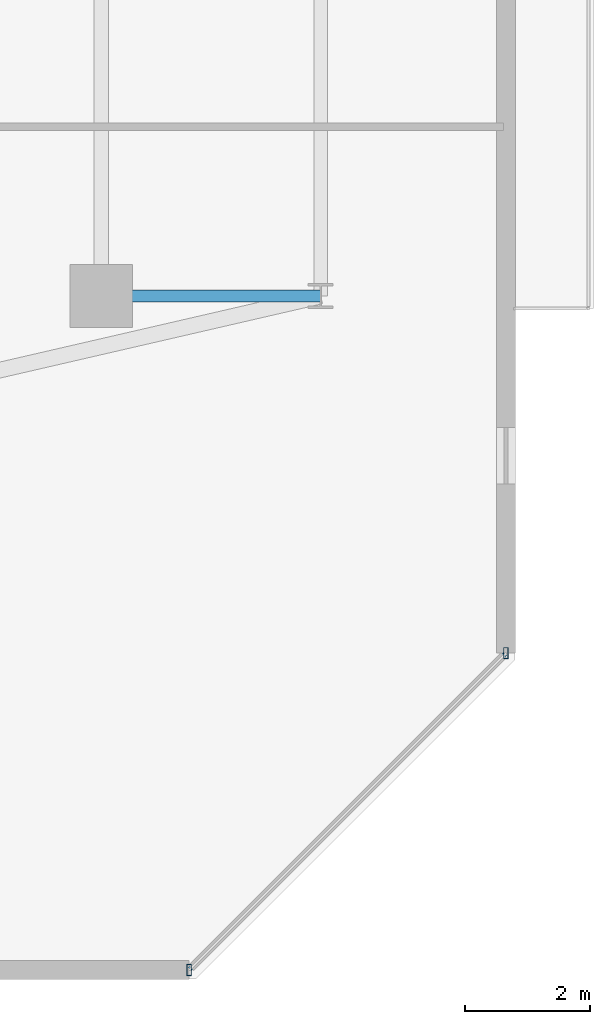
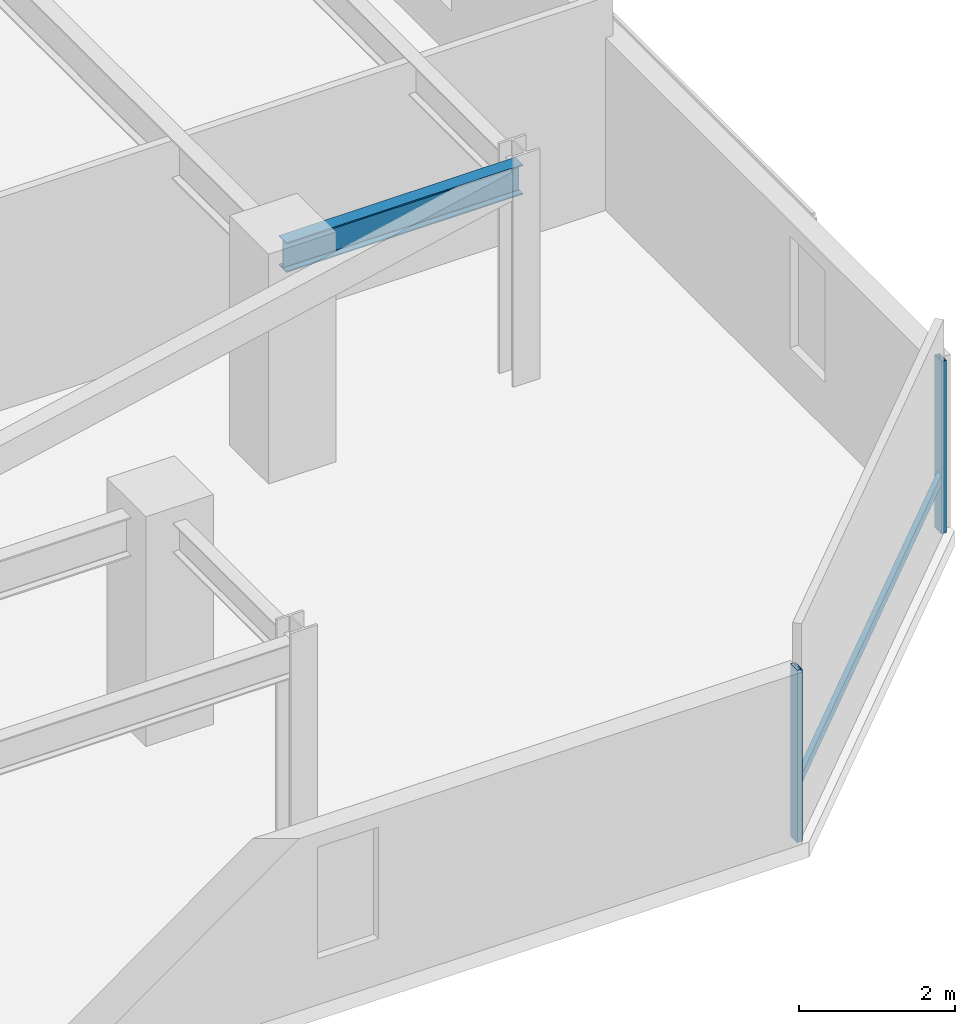
# One storey, part 12 of 32: 3 members, 1 beam, 1 element without a shape of its own.
"""IFC4 building model written with IfcOpenShell, lengths in metres."""

from ifc_helpers import new_model, si_unit, direction, frame, origin, origin_2d, place, context, subcontext, project, spatial, hollow_rectangle, i_section, extrude, material, material_profile, profile_set, type_object, element, aggregate, save


model = new_model("IFC4")

# Units and contexts
model_context = context("Model", 3, precision=1e-05, world=origin(), true_north=direction((0.0, 1.0)))
body_context = subcontext(model_context, "Body", "Model", "MODEL_VIEW")
ifc_project = project(units=[si_unit("LENGTHUNIT", "METRE"), si_unit("AREAUNIT", "SQUARE_METRE"), si_unit("VOLUMEUNIT", "CUBIC_METRE"), si_unit("PLANEANGLEUNIT", "RADIAN"), si_unit("MASSUNIT", "GRAM", prefix="KILO")], contexts=[model_context])

# Site, building, storey
site_placement = place(None, origin())
site = spatial("IfcSite", under=ifc_project, at=site_placement, CompositionType="ELEMENT")
building_placement = place(site_placement, origin())
building = spatial("IfcBuilding", under=site, at=building_placement, Name="Thornwick Lancets Civic Towers", CompositionType="ELEMENT")
storey_placement = place(building_placement, frame((0.0, 0.0, 243.89990234375)))
storey = spatial("IfcBuildingStorey", under=building, at=storey_placement, Name="L65", CompositionType="ELEMENT", Elevation=243.89990234375)

# Beam
ifc_material_1 = material(Name="Steel S355JR", Category="steel")
ifc_material_profile_1 = material_profile(ifc_material_1, i_section(OverallWidth=0.19287109375, OverallDepth=0.46728515625, WebThickness=0.011474609375, FlangeThickness=0.01953125, FilletRadius=0.01025390625, at=origin_2d()), Name="UKB 457x191x98")
ifc_profile_set_1 = profile_set([ifc_material_profile_1], Name="Steel S355JR")
beam_type = type_object("IfcBeamType", Name="BM_JOIST_457_98", PredefinedType="JOIST", material=ifc_profile_set_1)
beam_placement = place(storey_placement, frame((105.800048828125, 14.0, 3.12646484375), z_axis=(1.0, 0.0, 0.0), x_axis=(0.0, 1.0, 0.0)))
element("IfcBeam", 1, at=beam_placement, inside=storey, type_object=beam_type, Name="BM-RAD-L65-B01", PredefinedType="JOIST", context=body_context, shape_type="SweptSolid", body=[
    extrude(i_section(OverallWidth=0.19287109375, OverallDepth=0.46728515625, WebThickness=0.011474609375, FlangeThickness=0.01953125, FilletRadius=0.01025390625, at=origin_2d()), origin(), (0.0, 0.0, 1.0), 3.5),
])

# Curtain wall, members
ifc_material_2 = material(Name="High-zone chamfered-corner unitised glass curtain wall", Category="glass")
curtain_wall_type = type_object("IfcCurtainWallType", Name="CW_SYS_05", PredefinedType="NOTDEFINED", material=ifc_material_2)
curtain_wall_placement = place(storey_placement, origin())
curtain_wall = element("IfcCurtainWall", 2, at=curtain_wall_placement, inside=storey, type_object=curtain_wall_type, Name="L65 Curtain Wall CW-L65-B-E1", PredefinedType="NOTDEFINED")
ifc_material_3 = material(Name="Thermally broken bronze aluminium S355", Category="steel")
ifc_material_profile_2 = material_profile(ifc_material_3, hollow_rectangle(XDim=0.074951171875, YDim=0.179931640625, WallThickness=0.006103515625, at=origin_2d()), Name="RHS 180x75x6")
ifc_profile_set_2 = profile_set([ifc_material_profile_2], Name="Thermally broken bronze aluminium S355")
member_type_1 = type_object("IfcMemberType", Name="CW_MUL_180", PredefinedType="MULLION", material=ifc_profile_set_2)
member_1_placement = place(storey_placement, frame((107.199462890625, 3.24365234375, 0.0), z_axis=(0.0, 0.0, 1.0), x_axis=(1.0, 0.0, 0.0)))
member_1 = element("IfcMember", 3, at=member_1_placement, type_object=member_type_1, Name="CW-L65-B-E1 Mullion 0", PredefinedType="MULLION", context=body_context, shape_type="SweptSolid", body=[
    extrude(hollow_rectangle(XDim=0.074951171875, YDim=0.179931640625, WallThickness=0.006103515625, at=origin_2d()), origin(), (0.0, 0.0, 1.0), 2.7001953125),
])
member_2_placement = place(storey_placement, frame((112.25634765625, 8.300537109375, 0.0), z_axis=(0.0, 0.0, 1.0), x_axis=(1.0, 0.0, 0.0)))
member_2 = element("IfcMember", 4, at=member_2_placement, type_object=member_type_1, Name="CW-L65-B-E1 Mullion 1", PredefinedType="MULLION", context=body_context, shape_type="SweptSolid", body=[
    extrude(hollow_rectangle(XDim=0.074951171875, YDim=0.179931640625, WallThickness=0.006103515625, at=origin_2d()), origin(), (0.0, 0.0, 1.0), 2.7001953125),
])
ifc_material_profile_3 = material_profile(ifc_material_3, hollow_rectangle(XDim=0.074951171875, YDim=0.14990234375, WallThickness=0.0048828125, at=origin_2d()), Name="RHS 150x75x5")
ifc_profile_set_3 = profile_set([ifc_material_profile_3], Name="Thermally broken bronze aluminium S355")
member_type_2 = type_object("IfcMemberType", Name="CW_TRN_150", PredefinedType="USERDEFINED", material=ifc_profile_set_3)
member_3_placement = place(storey_placement, frame((107.21337890625, 3.2578125, 0.85009765625), z_axis=(0.707106781187, 0.707106781187, 0.0), x_axis=(-0.707106781187, 0.707106781187, 0.0)))
member_3 = element("IfcMember", 5, at=member_3_placement, type_object=member_type_2, Name="CW-L65-B-E1 Transom 0", ObjectType="TRANSOM", PredefinedType="USERDEFINED", context=body_context, shape_type="SweptSolid", body=[
    extrude(hollow_rectangle(XDim=0.074951171875, YDim=0.14990234375, WallThickness=0.0048828125, at=origin_2d()), origin(), (0.0, 0.0, 1.0), 7.11181640625),
])
aggregate(curtain_wall, [member_1, member_2, member_3])

save(model, "model.ifc")
